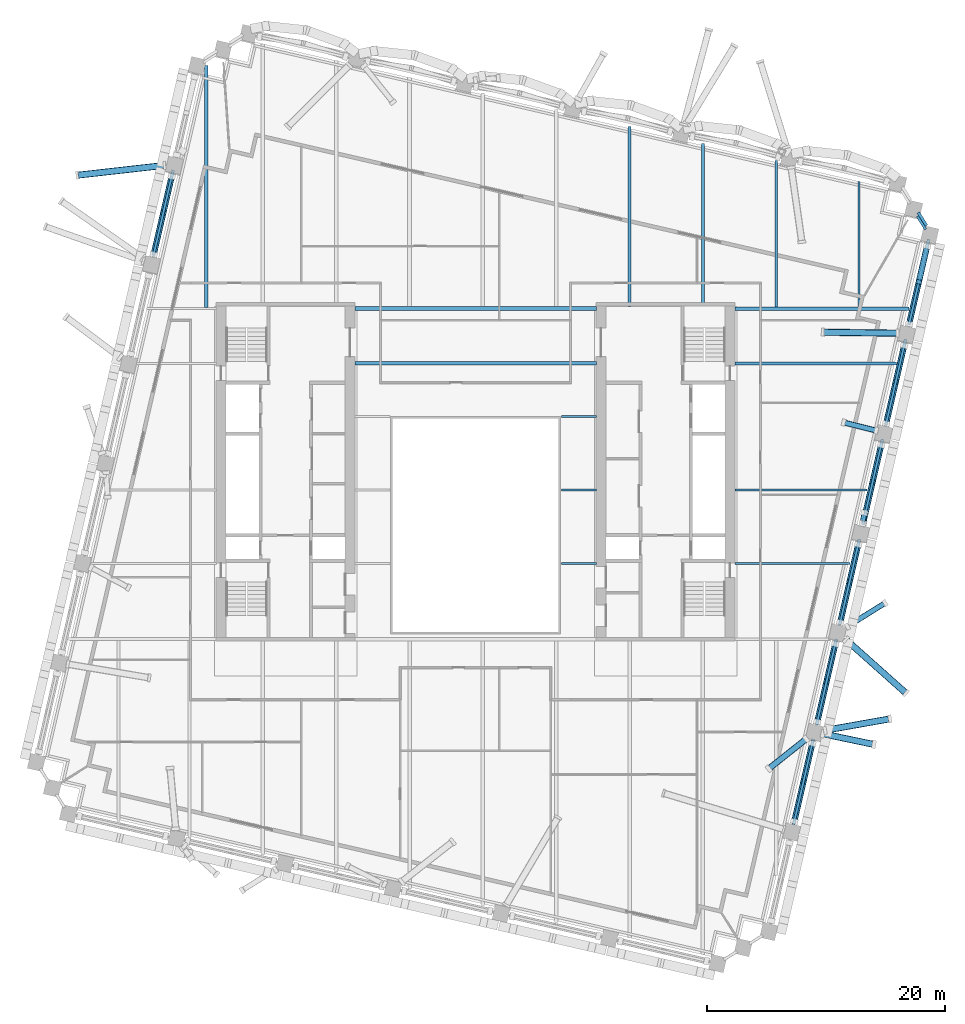
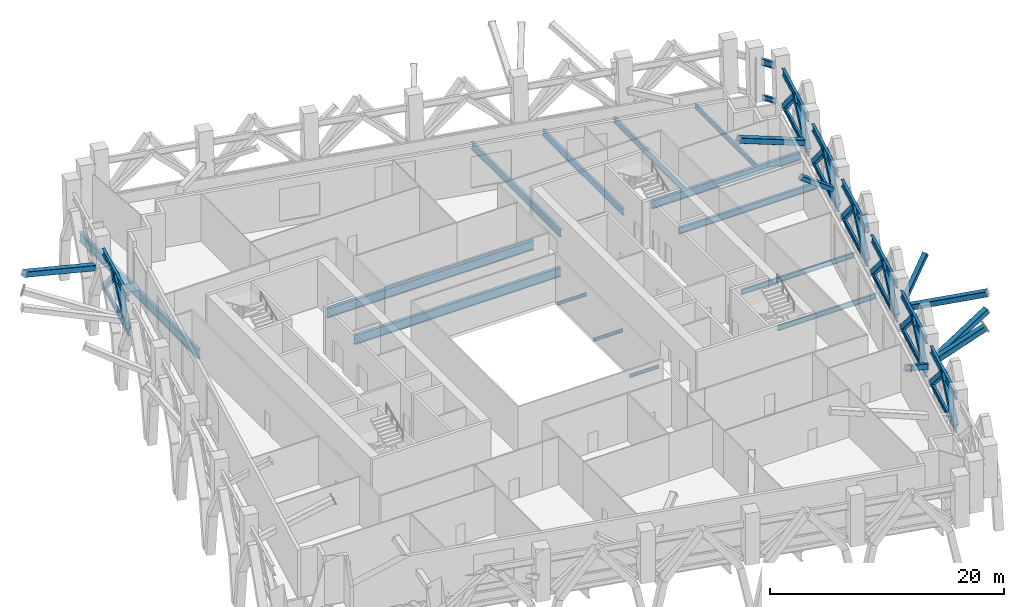
# One storey, part 3 of 20: 30 beams, 23 members.
"""IFC4 building model written with IfcOpenShell, lengths in metres."""

from ifc_helpers import new_model, si_unit, direction, frame, origin, origin_2d, place, context, subcontext, project, spatial, hollow_rectangle, i_section, extrude, material, material_profile, profile_set, type_object, element, save


model = new_model("IFC4")

# Units and contexts
model_context = context("Model", 3, precision=1e-05, world=origin(), true_north=direction((0.0, 1.0)))
body_context = subcontext(model_context, "Body", "Model", "MODEL_VIEW")
ifc_project = project(units=[si_unit("LENGTHUNIT", "METRE"), si_unit("AREAUNIT", "SQUARE_METRE"), si_unit("VOLUMEUNIT", "CUBIC_METRE"), si_unit("PLANEANGLEUNIT", "RADIAN"), si_unit("MASSUNIT", "GRAM", prefix="KILO")], contexts=[model_context])

# Site, building, storey
site_placement = place(None, origin())
site = spatial("IfcSite", under=ifc_project, at=site_placement, CompositionType="ELEMENT")
building_placement = place(site_placement, origin())
building = spatial("IfcBuilding", under=site, at=building_placement, Name="Ogive Exchange Tower", CompositionType="ELEMENT")
storey_placement = place(building_placement, frame((0.0, 0.0, 160.199951171875)))
storey = spatial("IfcBuildingStorey", under=building, at=storey_placement, Name="L35", CompositionType="ELEMENT", Elevation=160.199951171875)

# Beams
ifc_material_1 = material(Name="Steel ASTM A992 Gr50", Category="steel")
ifc_material_profile_1 = material_profile(ifc_material_1, i_section(OverallWidth=0.2099609375, OverallDepth=0.535888671875, WebThickness=0.010986328125, FlangeThickness=0.017333984375, at=origin_2d()), Name="W530x101")
ifc_profile_set_1 = profile_set([ifc_material_profile_1], Name="Steel ASTM A992 Gr50")
beam_type_1 = type_object("IfcBeamType", Name="Belt truss bottom chord W530x101", PredefinedType="BEAM", material=ifc_profile_set_1)
for number, where, z_axis, x_axis, name in (
    (1, (26.772216796875, -18.234130859375, 0.400146484375), (0.224954345887, 0.974369304867, 0.0), (-0.974369304867, 0.224954345887, 0.0), "Belt truss bottom chord 10"),
    (2, (28.705078125, -9.8623046875, 0.400146484375), (0.224954345887, 0.974369304867, 0.0), (-0.974369304867, 0.224954345887, 0.0), "Belt truss bottom chord 11"),
    (3, (30.6376953125, -1.490234375, 0.400146484375), (0.224954345887, 0.974369304867, 0.0), (-0.974369304867, 0.224954345887, 0.0), "Belt truss bottom chord 12"),
    (4, (32.57080078125, 6.8818359375, 0.400146484375), (0.224954345887, 0.974369304867, 0.0), (-0.974369304867, 0.224954345887, 0.0), "Belt truss bottom chord 13"),
    (5, (34.50341796875, 15.25390625, 0.400146484375), (0.224954345887, 0.974369304867, 0.0), (-0.974369304867, 0.224954345887, 0.0), "Belt truss bottom chord 14"),
    (6, (36.436279296875, 23.625732421875, 0.400146484375), (0.224954345887, 0.974369304867, 0.0), (-0.974369304867, 0.224954345887, 0.0), "Belt truss bottom chord 15"),
):
    element("IfcBeam", number, at=place(storey_placement, frame(where, z_axis=z_axis, x_axis=x_axis)), inside=storey, type_object=beam_type_1, Name=name, PredefinedType="BEAM", context=body_context, shape_type="SweptSolid", body=[
        extrude(i_section(OverallWidth=0.2099609375, OverallDepth=0.535888671875, WebThickness=0.010986328125, FlangeThickness=0.017333984375, at=origin_2d()), origin(), (0.0, 0.0, 1.0), 7.332275390625),
    ])
beam_1_placement = place(storey_placement, frame((37.8994140625, 31.9091796875, 0.400146484375), z_axis=(-0.530066093226, 0.847956329543, 0.0), x_axis=(-0.847956329543, -0.530066093226, 0.0)))
element("IfcBeam", 7, at=beam_1_placement, inside=storey, type_object=beam_type_1, Name="Belt truss bottom chord 16", PredefinedType="BEAM", context=body_context, shape_type="SweptSolid", body=[
    extrude(i_section(OverallWidth=0.2099609375, OverallDepth=0.535888671875, WebThickness=0.010986328125, FlangeThickness=0.017333984375, at=origin_2d()), origin(), (0.0, 0.0, 1.0), 1.30712890625),
])
beam_2_placement = place(storey_placement, frame((-25.524658203125, 36.637451171875, 0.400146484375), z_axis=(-0.224954345887, -0.974369304867, 0.0), x_axis=(0.974369304867, -0.224954345887, 0.0)))
element("IfcBeam", 8, at=beam_2_placement, inside=storey, type_object=beam_type_1, Name="Belt truss bottom chord 27", PredefinedType="BEAM", context=body_context, shape_type="SweptSolid", body=[
    extrude(i_section(OverallWidth=0.2099609375, OverallDepth=0.535888671875, WebThickness=0.010986328125, FlangeThickness=0.017333984375, at=origin_2d()), origin(), (0.0, 0.0, 1.0), 7.332275390625),
])

# Members
ifc_material_2 = material(Name="Steel ASTM A1085 Gr A", Category="steel")
ifc_material_profile_2 = material_profile(ifc_material_2, hollow_rectangle(XDim=0.508056640625, YDim=0.508056640625, WallThickness=0.022216796875, InnerFilletRadius=0.022216796875, OuterFilletRadius=0.04443359375, at=origin_2d()), Name="HSS508x508x22.2")
ifc_profile_set_2 = profile_set([ifc_material_profile_2], Name="Steel ASTM A1085 Gr A")
member_type_1 = type_object("IfcMemberType", Name="Belt truss diagonal HSS508x508x22.2", PredefinedType="BRACE", material=ifc_profile_set_2)
member_1_placement = place(storey_placement, frame((26.840576171875, -17.9384765625, 0.68505859375), z_axis=(0.163932221976, 0.710130944486, 0.68471911634), x_axis=(-0.974374402752, 0.224932263719, 0.0)))
element("IfcMember", 9, at=member_1_placement, inside=storey, type_object=member_type_1, Name="Belt truss diagonal 10a", PredefinedType="BRACE", context=body_context, shape_type="SweptSolid", body=[
    extrude(hollow_rectangle(XDim=0.508056640625, YDim=0.508056640625, WallThickness=0.022216796875, InnerFilletRadius=0.022216796875, OuterFilletRadius=0.04443359375, at=origin_2d()), origin(), (0.0, 0.0, 1.0), 4.70751953125),
])
member_2_placement = place(storey_placement, frame((28.355712890625, -11.375, 0.685546875), z_axis=(-0.161036539035, -0.697613460233, 0.698142315862), x_axis=(0.974376254202, -0.224924243351, 0.0)))
element("IfcMember", 10, at=member_2_placement, inside=storey, type_object=member_type_1, Name="Belt truss diagonal 10b", PredefinedType="BRACE", context=body_context, shape_type="SweptSolid", body=[
    extrude(hollow_rectangle(XDim=0.508056640625, YDim=0.508056640625, WallThickness=0.022216796875, InnerFilletRadius=0.022216796875, OuterFilletRadius=0.04443359375, at=origin_2d()), origin(), (0.0, 0.0, 1.0), 4.616455078125),
])
member_3_placement = place(storey_placement, frame((28.774169921875, -9.56298828125, 0.68505859375), z_axis=(0.164876945482, 0.714174794165, 0.68027197225), x_axis=(-0.974371050834, 0.224946783253, 0.0)))
element("IfcMember", 11, at=member_3_placement, inside=storey, type_object=member_type_1, Name="Belt truss diagonal 11a", PredefinedType="BRACE", context=body_context, shape_type="SweptSolid", body=[
    extrude(hollow_rectangle(XDim=0.508056640625, YDim=0.508056640625, WallThickness=0.022216796875, InnerFilletRadius=0.022216796875, OuterFilletRadius=0.04443359375, at=origin_2d()), origin(), (0.0, 0.0, 1.0), 4.73828125),
])
member_4_placement = place(storey_placement, frame((30.289306640625, -2.99951171875, 0.685546875), z_axis=(-0.160015684142, -0.693241601655, 0.702716914954), x_axis=(0.974379845364, -0.224908685799, 0.0)))
element("IfcMember", 12, at=member_4_placement, inside=storey, type_object=member_type_1, Name="Belt truss diagonal 11b", PredefinedType="BRACE", context=body_context, shape_type="SweptSolid", body=[
    extrude(hollow_rectangle(XDim=0.508056640625, YDim=0.508056640625, WallThickness=0.022216796875, InnerFilletRadius=0.022216796875, OuterFilletRadius=0.04443359375, at=origin_2d()), origin(), (0.0, 0.0, 1.0), 4.58642578125),
])
member_5_placement = place(storey_placement, frame((30.707763671875, -1.1875, 0.68505859375), z_axis=(0.165759766979, 0.718121683504, 0.67588826542), x_axis=(-0.974379487697, 0.224910235327, 0.0)))
element("IfcMember", 13, at=member_5_placement, inside=storey, type_object=member_type_1, Name="Belt truss diagonal 12a", PredefinedType="BRACE", context=body_context, shape_type="SweptSolid", body=[
    extrude(hollow_rectangle(XDim=0.508056640625, YDim=0.508056640625, WallThickness=0.022216796875, InnerFilletRadius=0.022216796875, OuterFilletRadius=0.04443359375, at=origin_2d()), origin(), (0.0, 0.0, 1.0), 4.76904296875),
])
member_6_placement = place(storey_placement, frame((32.222900390625, 5.3759765625, 0.685791015625), z_axis=(-0.159027085593, -0.688831607946, 0.707263318675), x_axis=(0.974370753612, -0.224948070685, 0.0)))
element("IfcMember", 14, at=member_6_placement, inside=storey, type_object=member_type_1, Name="Belt truss diagonal 12b", PredefinedType="BRACE", context=body_context, shape_type="SweptSolid", body=[
    extrude(hollow_rectangle(XDim=0.508056640625, YDim=0.508056640625, WallThickness=0.022216796875, InnerFilletRadius=0.022216796875, OuterFilletRadius=0.04443359375, at=origin_2d()), origin(), (0.0, 0.0, 1.0), 4.556396484375),
])
member_7_placement = place(storey_placement, frame((32.641357421875, 7.18798828125, 0.684814453125), z_axis=(0.166663106416, 0.721986407896, 0.67153483586), x_axis=(-0.97437615499, 0.22492467314, 0.0)))
element("IfcMember", 15, at=member_7_placement, inside=storey, type_object=member_type_1, Name="Belt truss diagonal 13a", PredefinedType="BRACE", context=body_context, shape_type="SweptSolid", body=[
    extrude(hollow_rectangle(XDim=0.508056640625, YDim=0.508056640625, WallThickness=0.022216796875, InnerFilletRadius=0.022216796875, OuterFilletRadius=0.04443359375, at=origin_2d()), origin(), (0.0, 0.0, 1.0), 4.80029296875),
])
member_8_placement = place(storey_placement, frame((34.156494140625, 13.75146484375, 0.685791015625), z_axis=(-0.157966016293, -0.684285699804, 0.711898741915), x_axis=(0.974374367106, -0.224932418132, 0.0)))
element("IfcMember", 16, at=member_8_placement, inside=storey, type_object=member_type_1, Name="Belt truss diagonal 13b", PredefinedType="BRACE", context=body_context, shape_type="SweptSolid", body=[
    extrude(hollow_rectangle(XDim=0.508056640625, YDim=0.508056640625, WallThickness=0.022216796875, InnerFilletRadius=0.022216796875, OuterFilletRadius=0.04443359375, at=origin_2d()), origin(), (0.0, 0.0, 1.0), 4.52685546875),
])
member_9_placement = place(storey_placement, frame((34.574951171875, 15.5634765625, 0.684814453125), z_axis=(0.167560840703, 0.725776946628, 0.667211502004), x_axis=(-0.974369467469, 0.224953641588, 0.0)))
element("IfcMember", 17, at=member_9_placement, inside=storey, type_object=member_type_1, Name="Belt truss diagonal 14a", PredefinedType="BRACE", context=body_context, shape_type="SweptSolid", body=[
    extrude(hollow_rectangle(XDim=0.508056640625, YDim=0.508056640625, WallThickness=0.022216796875, InnerFilletRadius=0.022216796875, OuterFilletRadius=0.04443359375, at=origin_2d()), origin(), (0.0, 0.0, 1.0), 4.83154296875),
])
member_10_placement = place(storey_placement, frame((36.09033203125, 22.126953125, 0.68603515625), z_axis=(-0.156937284558, -0.679699667919, 0.716504745376), x_axis=(0.974364958123, -0.224973172585, 0.0)))
element("IfcMember", 18, at=member_10_placement, inside=storey, type_object=member_type_1, Name="Belt truss diagonal 14b", PredefinedType="BRACE", context=body_context, shape_type="SweptSolid", body=[
    extrude(hollow_rectangle(XDim=0.508056640625, YDim=0.508056640625, WallThickness=0.022216796875, InnerFilletRadius=0.022216796875, OuterFilletRadius=0.04443359375, at=origin_2d()), origin(), (0.0, 0.0, 1.0), 4.497314453125),
])
member_11_placement = place(storey_placement, frame((36.508544921875, 23.93896484375, 0.6845703125), z_axis=(0.16842971993, 0.729493967303, 0.662925320917), x_axis=(-0.9743663269, 0.224967244288, 0.0)))
element("IfcMember", 19, at=member_11_placement, inside=storey, type_object=member_type_1, Name="Belt truss diagonal 15a", PredefinedType="BRACE", context=body_context, shape_type="SweptSolid", body=[
    extrude(hollow_rectangle(XDim=0.508056640625, YDim=0.508056640625, WallThickness=0.022216796875, InnerFilletRadius=0.022216796875, OuterFilletRadius=0.04443359375, at=origin_2d()), origin(), (0.0, 0.0, 1.0), 4.863037109375),
])
member_12_placement = place(storey_placement, frame((38.02392578125, 30.50244140625, 0.68603515625), z_axis=(-0.155834404607, -0.674972791062, 0.721198564659), x_axis=(0.97436859116, -0.224957437221, 0.0)))
element("IfcMember", 20, at=member_12_placement, inside=storey, type_object=member_type_1, Name="Belt truss diagonal 15b", PredefinedType="BRACE", context=body_context, shape_type="SweptSolid", body=[
    extrude(hollow_rectangle(XDim=0.508056640625, YDim=0.508056640625, WallThickness=0.022216796875, InnerFilletRadius=0.022216796875, OuterFilletRadius=0.04443359375, at=origin_2d()), origin(), (0.0, 0.0, 1.0), 4.468017578125),
])
member_13_placement = place(storey_placement, frame((-25.58740234375, 36.3662109375, 0.68603515625), z_axis=(-0.156943075216, -0.679670460639, 0.716531182906), x_axis=(0.974361019054, -0.224990232116, 0.0)))
element("IfcMember", 21, at=member_13_placement, inside=storey, type_object=member_type_1, Name="Belt truss diagonal 27a", PredefinedType="BRACE", context=body_context, shape_type="SweptSolid", body=[
    extrude(hollow_rectangle(XDim=0.508056640625, YDim=0.508056640625, WallThickness=0.022216796875, InnerFilletRadius=0.022216796875, OuterFilletRadius=0.04443359375, at=origin_2d()), origin(), (0.0, 0.0, 1.0), 4.497314453125),
])
member_14_placement = place(storey_placement, frame((-27.1025390625, 29.802978515625, 0.684814453125), z_axis=(0.167511727807, 0.725783090947, 0.667217150516), x_axis=(-0.974384335028, 0.224889234186, 0.0)))
element("IfcMember", 22, at=member_14_placement, inside=storey, type_object=member_type_1, Name="Belt truss diagonal 27b", PredefinedType="BRACE", context=body_context, shape_type="SweptSolid", body=[
    extrude(hollow_rectangle(XDim=0.508056640625, YDim=0.508056640625, WallThickness=0.022216796875, InnerFilletRadius=0.022216796875, OuterFilletRadius=0.04443359375, at=origin_2d()), origin(), (0.0, 0.0, 1.0), 4.83154296875),
])

# Beams
ifc_material_profile_3 = material_profile(ifc_material_1, i_section(OverallWidth=0.25390625, OverallDepth=0.68310546875, WebThickness=0.012451171875, FlangeThickness=0.018798828125, at=origin_2d()), Name="W690x140")
ifc_profile_set_3 = profile_set([ifc_material_profile_3], Name="Steel ASTM A992 Gr50")
beam_type_2 = type_object("IfcBeamType", Name="Belt truss top chord W690x140", PredefinedType="BEAM", material=ifc_profile_set_3)
beam_3_placement = place(storey_placement, frame((26.782470703125, -18.189697265625, 3.908447265625), z_axis=(0.224961013121, 0.974367765567, 0.0), x_axis=(-0.974367765567, 0.224961013121, 0.0)))
element("IfcBeam", 23, at=beam_3_placement, inside=storey, type_object=beam_type_2, Name="Belt truss top chord 10", PredefinedType="BEAM", context=body_context, shape_type="SweptSolid", body=[
    extrude(i_section(OverallWidth=0.25390625, OverallDepth=0.68310546875, WebThickness=0.012451171875, FlangeThickness=0.018798828125, at=origin_2d()), origin(), (0.0, 0.0, 1.0), 7.377685546875),
])
beam_4_placement = place(storey_placement, frame((28.7255859375, -9.7734375, 3.908447265625), z_axis=(0.224953759704, 0.9743694402, 0.0), x_axis=(-0.9743694402, 0.224953759704, 0.0)))
element("IfcBeam", 24, at=beam_4_placement, inside=storey, type_object=beam_type_2, Name="Belt truss top chord 11", PredefinedType="BEAM", context=body_context, shape_type="SweptSolid", body=[
    extrude(i_section(OverallWidth=0.25390625, OverallDepth=0.68310546875, WebThickness=0.012451171875, FlangeThickness=0.018798828125, at=origin_2d()), origin(), (0.0, 0.0, 1.0), 7.3779296875),
])
for number, where, z_axis, x_axis, name in (
    (25, (30.668701171875, -1.35693359375, 3.908447265625), (0.224922342737, 0.974376692936, 0.0), (-0.974376692936, 0.224922342737, 0.0), "Belt truss top chord 12"),
    (26, (32.61181640625, 7.059326171875, 3.908447265625), (0.224922342737, 0.974376692936, 0.0), (-0.974376692936, 0.224922342737, 0.0), "Belt truss top chord 13"),
):
    element("IfcBeam", number, at=place(storey_placement, frame(where, z_axis=z_axis, x_axis=x_axis)), inside=storey, type_object=beam_type_2, Name=name, PredefinedType="BEAM", context=body_context, shape_type="SweptSolid", body=[
        extrude(i_section(OverallWidth=0.25390625, OverallDepth=0.68310546875, WebThickness=0.012451171875, FlangeThickness=0.018798828125, at=origin_2d()), origin(), (0.0, 0.0, 1.0), 7.377685546875),
    ])
for number, where, z_axis, x_axis, name in (
    (27, (34.5546875, 15.475830078125, 3.908447265625), (0.224953759704, 0.9743694402, 0.0), (-0.9743694402, 0.224953759704, 0.0), "Belt truss top chord 14"),
    (28, (36.497802734375, 23.89208984375, 3.908447265625), (0.224953759704, 0.9743694402, 0.0), (-0.9743694402, 0.224953759704, 0.0), "Belt truss top chord 15"),
):
    element("IfcBeam", number, at=place(storey_placement, frame(where, z_axis=z_axis, x_axis=x_axis)), inside=storey, type_object=beam_type_2, Name=name, PredefinedType="BEAM", context=body_context, shape_type="SweptSolid", body=[
        extrude(i_section(OverallWidth=0.25390625, OverallDepth=0.68310546875, WebThickness=0.012451171875, FlangeThickness=0.018798828125, at=origin_2d()), origin(), (0.0, 0.0, 1.0), 7.3779296875),
    ])
beam_5_placement = place(storey_placement, frame((37.970947265625, 32.219970703125, 3.908447265625), z_axis=(-0.529931776808, 0.848040277303, 0.0), x_axis=(-0.848040277303, -0.529931776808, 0.0)))
element("IfcBeam", 29, at=beam_5_placement, inside=storey, type_object=beam_type_2, Name="Belt truss top chord 16", PredefinedType="BEAM", context=body_context, shape_type="SweptSolid", body=[
    extrude(i_section(OverallWidth=0.25390625, OverallDepth=0.68310546875, WebThickness=0.012451171875, FlangeThickness=0.018798828125, at=origin_2d()), origin(), (0.0, 0.0, 1.0), 1.30712890625),
])
beam_6_placement = place(storey_placement, frame((-25.463134765625, 36.90380859375, 3.908447265625), z_axis=(-0.224953759704, -0.9743694402, 0.0), x_axis=(0.9743694402, -0.224953759704, 0.0)))
element("IfcBeam", 30, at=beam_6_placement, inside=storey, type_object=beam_type_2, Name="Belt truss top chord 27", PredefinedType="BEAM", context=body_context, shape_type="SweptSolid", body=[
    extrude(i_section(OverallWidth=0.25390625, OverallDepth=0.68310546875, WebThickness=0.012451171875, FlangeThickness=0.018798828125, at=origin_2d()), origin(), (0.0, 0.0, 1.0), 7.3779296875),
])

# Members
ifc_material_profile_4 = material_profile(ifc_material_2, hollow_rectangle(XDim=0.45703125, YDim=0.45703125, WallThickness=0.01904296875, InnerFilletRadius=0.01904296875, OuterFilletRadius=0.0380859375, at=origin_2d()), Name="HSS457.2x457.2x19")
ifc_profile_set_4 = profile_set([ifc_material_profile_4], Name="Steel ASTM A1085 Gr A")
member_type_2 = type_object("IfcMemberType", Name="Block-change strut HSS457.2x457.2x19", PredefinedType="STRUT", material=ifc_profile_set_4)
member_15_placement = place(storey_placement, frame((31.312255859375, -1.530517578125, 2.431640625), z_axis=(0.721502865522, 0.449178815053, 0.526945924314), x_axis=(-0.528508580108, 0.848927959695, 0.0)))
element("IfcMember", 31, at=member_15_placement, inside=storey, type_object=member_type_2, Name="Block-change strut 9", PredefinedType="STRUT", context=body_context, shape_type="SweptSolid", body=[
    extrude(hollow_rectangle(XDim=0.45703125, YDim=0.45703125, WallThickness=0.01904296875, InnerFilletRadius=0.01904296875, OuterFilletRadius=0.0380859375, at=origin_2d()), origin(), (0.0, 0.0, 1.0), 4.3857421875),
])
member_16_placement = place(storey_placement, frame((32.58349609375, 7.123779296875, 3.627197265625), z_axis=(0.103641861045, 0.614283665303, 0.782249284551), x_axis=(-0.986063644882, 0.166368531407, 0.0)))
element("IfcMember", 32, at=member_16_placement, inside=storey, type_object=member_type_2, Name="Block-change strut 10", PredefinedType="STRUT", context=body_context, shape_type="SweptSolid", body=[
    extrude(hollow_rectangle(XDim=0.45703125, YDim=0.45703125, WallThickness=0.01904296875, InnerFilletRadius=0.01904296875, OuterFilletRadius=0.0380859375, at=origin_2d()), origin(), (0.0, 0.0, 1.0), 1.484130859375),
])
member_17_placement = place(storey_placement, frame((33.73779296875, 14.9677734375, 2.99755859375), z_axis=(-0.824865471707, 0.2047235155, 0.52695847634), x_axis=(-0.240882075565, -0.970554390888, 0.0)))
element("IfcMember", 33, at=member_17_placement, inside=storey, type_object=member_type_2, Name="Block-change strut 11", PredefinedType="STRUT", context=body_context, shape_type="SweptSolid", body=[
    extrude(hollow_rectangle(XDim=0.45703125, YDim=0.45703125, WallThickness=0.01904296875, InnerFilletRadius=0.01904296875, OuterFilletRadius=0.0380859375, at=origin_2d()), origin(), (0.0, 0.0, 1.0), 3.311767578125),
])
ifc_material_profile_5 = material_profile(ifc_material_2, hollow_rectangle(XDim=0.508056640625, YDim=0.508056640625, WallThickness=0.01904296875, InnerFilletRadius=0.01904296875, OuterFilletRadius=0.0380859375, at=origin_2d()), Name="HSS508x508x19")
ifc_profile_set_5 = profile_set([ifc_material_profile_5], Name="Steel ASTM A1085 Gr A")
member_type_3 = type_object("IfcMemberType", Name="Block-change strut HSS508x508x19", PredefinedType="STRUT", material=ifc_profile_set_5)
member_18_placement = place(storey_placement, frame((27.84228515625, -11.00830078125, 2.34423828125), z_axis=(-0.674025444955, -0.534819412523, 0.509566379917), x_axis=(0.62157127797, -0.783357610803, 0.0)))
element("IfcMember", 34, at=member_18_placement, inside=storey, type_object=member_type_3, Name="Block-change strut 6", PredefinedType="STRUT", context=body_context, shape_type="SweptSolid", body=[
    extrude(hollow_rectangle(XDim=0.508056640625, YDim=0.508056640625, WallThickness=0.01904296875, InnerFilletRadius=0.01904296875, OuterFilletRadius=0.0380859375, at=origin_2d()), origin(), (0.0, 0.0, 1.0), 4.659912109375),
])
ifc_material_profile_6 = material_profile(ifc_material_2, hollow_rectangle(XDim=0.55908203125, YDim=0.55908203125, WallThickness=0.022216796875, InnerFilletRadius=0.022216796875, OuterFilletRadius=0.04443359375, at=origin_2d()), Name="HSS558.8x558.8x22.2")
ifc_profile_set_6 = profile_set([ifc_material_profile_6], Name="Steel ASTM A1085 Gr A")
member_type_4 = type_object("IfcMemberType", Name="Block-change strut HSS558.8x558.8x22.2", PredefinedType="STRUT", material=ifc_profile_set_6)
member_19_placement = place(storey_placement, frame((29.24560546875, -10.56787109375, 2.31640625), z_axis=(0.86029011682, -0.179627478233, 0.477110976572), x_axis=(0.204390849001, 0.97888936088, 0.0)))
element("IfcMember", 35, at=member_19_placement, inside=storey, type_object=member_type_4, Name="Block-change strut 7", PredefinedType="STRUT", context=body_context, shape_type="SweptSolid", body=[
    extrude(hollow_rectangle(XDim=0.55908203125, YDim=0.55908203125, WallThickness=0.022216796875, InnerFilletRadius=0.022216796875, OuterFilletRadius=0.04443359375, at=origin_2d()), origin(), (0.0, 0.0, 1.0), 4.97998046875),
])
member_20_placement = place(storey_placement, frame((31.188720703125, -2.635498046875, 2.294677734375), z_axis=(0.703778763562, -0.627731406849, 0.332639042828), x_axis=(0.665636600374, 0.746276032204, 0.0)))
element("IfcMember", 36, at=member_20_placement, inside=storey, type_object=member_type_4, Name="Block-change strut 8", PredefinedType="STRUT", context=body_context, shape_type="SweptSolid", body=[
    extrude(hollow_rectangle(XDim=0.55908203125, YDim=0.55908203125, WallThickness=0.022216796875, InnerFilletRadius=0.022216796875, OuterFilletRadius=0.04443359375, at=origin_2d()), origin(), (0.0, 0.0, 1.0), 7.16552734375),
])
member_21_placement = place(storey_placement, frame((35.531494140625, 23.166015625, 2.297607421875), z_axis=(-0.934860731736, 0.012616547679, 0.354790409936), x_axis=(-0.013494415228, -0.999908946233, 0.0)))
element("IfcMember", 37, at=member_21_placement, inside=storey, type_object=member_type_4, Name="Block-change strut 12", PredefinedType="STRUT", context=body_context, shape_type="SweptSolid", body=[
    extrude(hollow_rectangle(XDim=0.55908203125, YDim=0.55908203125, WallThickness=0.022216796875, InnerFilletRadius=0.022216796875, OuterFilletRadius=0.04443359375, at=origin_2d()), origin(), (0.0, 0.0, 1.0), 6.71484375),
])
member_22_placement = place(storey_placement, frame((-26.19775390625, 37.298583984375, 2.291748046875), z_axis=(-0.945482188157, -0.106946591313, 0.307613163705), x_axis=(0.112396530054, -0.993663433981, 0.0)))
element("IfcMember", 38, at=member_22_placement, inside=storey, type_object=member_type_4, Name="Block-change strut 22", PredefinedType="STRUT", context=body_context, shape_type="SweptSolid", body=[
    extrude(hollow_rectangle(XDim=0.55908203125, YDim=0.55908203125, WallThickness=0.022216796875, InnerFilletRadius=0.022216796875, OuterFilletRadius=0.04443359375, at=origin_2d()), origin(), (0.0, 0.0, 1.0), 7.75244140625),
])
member_23_placement = place(storey_placement, frame((29.4365234375, -10.275390625, 2.30322265625), z_axis=(0.904359882885, 0.160120433341, 0.395594045778), x_axis=(-0.174342325977, 0.984685103662, 0.0)))
element("IfcMember", 39, at=member_23_placement, inside=storey, type_object=member_type_4, Name="Block-change strut 31", PredefinedType="STRUT", context=body_context, shape_type="SweptSolid", body=[
    extrude(hollow_rectangle(XDim=0.55908203125, YDim=0.55908203125, WallThickness=0.022216796875, InnerFilletRadius=0.022216796875, OuterFilletRadius=0.04443359375, at=origin_2d()), origin(), (0.0, 0.0, 1.0), 6.0166015625),
])

# Beams
ifc_material_profile_7 = material_profile(ifc_material_1, i_section(OverallWidth=0.300048828125, OverallDepth=0.969970703125, WebThickness=0.01611328125, FlangeThickness=0.02099609375, at=origin_2d()), Name="W1000x222")
ifc_profile_set_7 = profile_set([ifc_material_profile_7], Name="Steel ASTM A992 Gr50")
beam_type_3 = type_object("IfcBeamType", Name="Floor beam W1000x222", PredefinedType="JOIST", material=ifc_profile_set_7)
beam_7_placement = place(storey_placement, frame((-10.169921875, 20.62255859375, -0.784912109375), z_axis=(1.0, 0.0, 0.0), x_axis=(0.0, 1.0, 0.0)))
element("IfcBeam", 40, at=beam_7_placement, inside=storey, type_object=beam_type_3, Name="Floor beam", PredefinedType="JOIST", context=body_context, shape_type="SweptSolid", body=[
    extrude(i_section(OverallWidth=0.300048828125, OverallDepth=0.969970703125, WebThickness=0.01611328125, FlangeThickness=0.02099609375, at=origin_2d()), origin(), (0.0, 0.0, 1.0), 20.33984375),
])
beam_8_placement = place(storey_placement, frame((-22.68701171875, 25.33056640625, -0.784912109375), z_axis=(0.0, 1.0, 0.0), x_axis=(-1.0, 0.0, 0.0)))
element("IfcBeam", 41, at=beam_8_placement, inside=storey, type_object=beam_type_3, Name="Floor beam", PredefinedType="JOIST", context=body_context, shape_type="SweptSolid", body=[
    extrude(i_section(OverallWidth=0.300048828125, OverallDepth=0.969970703125, WebThickness=0.01611328125, FlangeThickness=0.02099609375, at=origin_2d()), origin(), (0.0, 0.0, 1.0), 20.358642578125),
])
ifc_material_profile_8 = material_profile(ifc_material_1, i_section(OverallWidth=0.1650390625, OverallDepth=0.31005859375, WebThickness=0.005859375, FlangeThickness=0.009765625, at=origin_2d()), Name="W310x38.7")
ifc_profile_set_8 = profile_set([ifc_material_profile_8], Name="Steel ASTM A992 Gr50")
beam_type_4 = type_object("IfcBeamType", Name="Floor beam W310x38.7", PredefinedType="JOIST", material=ifc_profile_set_8)
for number, where, z_axis, x_axis, name in (
    (42, (7.219970703125, 3.75830078125, -0.454833984375), (1.0, 0.0, 0.0), (0.0, 1.0, 0.0), "Floor beam"),
    (43, (7.219970703125, 9.956787109375, -0.454833984375), (1.0, 0.0, 0.0), (0.0, 1.0, 0.0), "Floor beam"),
):
    element("IfcBeam", number, at=place(storey_placement, frame(where, z_axis=z_axis, x_axis=x_axis)), inside=storey, type_object=beam_type_4, Name=name, PredefinedType="JOIST", context=body_context, shape_type="SweptSolid", body=[
        extrude(i_section(OverallWidth=0.1650390625, OverallDepth=0.31005859375, WebThickness=0.005859375, FlangeThickness=0.009765625, at=origin_2d()), origin(), (0.0, 0.0, 1.0), 2.949951171875),
    ])
ifc_material_profile_9 = material_profile(ifc_material_1, i_section(OverallWidth=0.1669921875, OverallDepth=0.535888671875, WebThickness=0.01025390625, FlangeThickness=0.0166015625, at=origin_2d()), Name="W530x85")
ifc_profile_set_9 = profile_set([ifc_material_profile_9], Name="Steel ASTM A992 Gr50")
beam_type_5 = type_object("IfcBeamType", Name="Floor beam W530x85", PredefinedType="JOIST", material=ifc_profile_set_9)
beam_9_placement = place(storey_placement, frame((21.830078125, 3.75830078125, -0.56787109375), z_axis=(1.0, 0.0, 0.0), x_axis=(0.0, 1.0, 0.0)))
element("IfcBeam", 44, at=beam_9_placement, inside=storey, type_object=beam_type_5, Name="Floor beam", PredefinedType="JOIST", context=body_context, shape_type="SweptSolid", body=[
    extrude(i_section(OverallWidth=0.1669921875, OverallDepth=0.535888671875, WebThickness=0.01025390625, FlangeThickness=0.0166015625, at=origin_2d()), origin(), (0.0, 0.0, 1.0), 9.70751953125),
])
beam_10_placement = place(storey_placement, frame((21.830078125, 9.956787109375, -0.56787109375), z_axis=(1.0, 0.0, 0.0), x_axis=(0.0, 1.0, 0.0)))
element("IfcBeam", 45, at=beam_10_placement, inside=storey, type_object=beam_type_5, Name="Floor beam", PredefinedType="JOIST", context=body_context, shape_type="SweptSolid", body=[
    extrude(i_section(OverallWidth=0.1669921875, OverallDepth=0.535888671875, WebThickness=0.01025390625, FlangeThickness=0.0166015625, at=origin_2d()), origin(), (0.0, 0.0, 1.0), 11.138671875),
])
beam_11_placement = place(storey_placement, frame((32.302978515625, 25.39111328125, -0.56787109375), z_axis=(0.0, 1.0, 0.0), x_axis=(-1.0, 0.0, 0.0)))
element("IfcBeam", 46, at=beam_11_placement, inside=storey, type_object=beam_type_5, Name="Floor beam", PredefinedType="JOIST", context=body_context, shape_type="SweptSolid", body=[
    extrude(i_section(OverallWidth=0.1669921875, OverallDepth=0.535888671875, WebThickness=0.01025390625, FlangeThickness=0.0166015625, at=origin_2d()), origin(), (0.0, 0.0, 1.0), 10.55615234375),
])
ifc_material_profile_10 = material_profile(ifc_material_1, i_section(OverallWidth=0.22802734375, OverallDepth=0.60205078125, WebThickness=0.010498046875, FlangeThickness=0.014892578125, at=origin_2d()), Name="W610x101")
ifc_profile_set_10 = profile_set([ifc_material_profile_10], Name="Steel ASTM A992 Gr50")
beam_type_6 = type_object("IfcBeamType", Name="Floor beam W610x101", PredefinedType="JOIST", material=ifc_profile_set_10)
beam_12_placement = place(storey_placement, frame((25.326416015625, 25.39111328125, -0.600830078125), z_axis=(0.0, 1.0, 0.0), x_axis=(-1.0, 0.0, 0.0)))
element("IfcBeam", 47, at=beam_12_placement, inside=storey, type_object=beam_type_6, Name="Floor beam", PredefinedType="JOIST", context=body_context, shape_type="SweptSolid", body=[
    extrude(i_section(OverallWidth=0.22802734375, OverallDepth=0.60205078125, WebThickness=0.010498046875, FlangeThickness=0.014892578125, at=origin_2d()), origin(), (0.0, 0.0, 1.0), 12.31689453125),
])
ifc_material_profile_11 = material_profile(ifc_material_1, i_section(OverallWidth=0.25390625, OverallDepth=0.677978515625, WebThickness=0.01171875, FlangeThickness=0.016357421875, at=origin_2d()), Name="W690x125")
ifc_profile_set_11 = profile_set([ifc_material_profile_11], Name="Steel ASTM A992 Gr50")
beam_type_7 = type_object("IfcBeamType", Name="Floor beam W690x125", PredefinedType="JOIST", material=ifc_profile_set_11)
beam_13_placement = place(storey_placement, frame((21.830078125, 20.62255859375, -0.638916015625), z_axis=(1.0, 0.0, 0.0), x_axis=(0.0, 1.0, 0.0)))
element("IfcBeam", 48, at=beam_13_placement, inside=storey, type_object=beam_type_7, Name="Floor beam", PredefinedType="JOIST", context=body_context, shape_type="SweptSolid", body=[
    extrude(i_section(OverallWidth=0.25390625, OverallDepth=0.677978515625, WebThickness=0.01171875, FlangeThickness=0.016357421875, at=origin_2d()), origin(), (0.0, 0.0, 1.0), 13.60107421875),
])
beam_14_placement = place(storey_placement, frame((19.149658203125, 25.39990234375, -0.638916015625), z_axis=(0.0, 1.0, 0.0), x_axis=(-1.0, 0.0, 0.0)))
element("IfcBeam", 49, at=beam_14_placement, inside=storey, type_object=beam_type_7, Name="Floor beam", PredefinedType="JOIST", context=body_context, shape_type="SweptSolid", body=[
    extrude(i_section(OverallWidth=0.25390625, OverallDepth=0.677978515625, WebThickness=0.01171875, FlangeThickness=0.016357421875, at=origin_2d()), origin(), (0.0, 0.0, 1.0), 13.73388671875),
])
ifc_material_profile_12 = material_profile(ifc_material_1, i_section(OverallWidth=0.26708984375, OverallDepth=0.75390625, WebThickness=0.01318359375, FlangeThickness=0.01708984375, at=origin_2d()), Name="W760x147")
ifc_profile_set_12 = profile_set([ifc_material_profile_12], Name="Steel ASTM A992 Gr50")
beam_type_8 = type_object("IfcBeamType", Name="Floor beam W760x147", PredefinedType="JOIST", material=ifc_profile_set_12)
beam_15_placement = place(storey_placement, frame((12.972900390625, 25.39990234375, -0.677001953125), z_axis=(0.0, 1.0, 0.0), x_axis=(-1.0, 0.0, 0.0)))
element("IfcBeam", 50, at=beam_15_placement, inside=storey, type_object=beam_type_8, Name="Floor beam", PredefinedType="JOIST", context=body_context, shape_type="SweptSolid", body=[
    extrude(i_section(OverallWidth=0.26708984375, OverallDepth=0.75390625, WebThickness=0.01318359375, FlangeThickness=0.01708984375, at=origin_2d()), origin(), (0.0, 0.0, 1.0), 15.159912109375),
])
ifc_material_profile_13 = material_profile(ifc_material_1, i_section(OverallWidth=0.300048828125, OverallDepth=0.97998046875, WebThickness=0.0166015625, FlangeThickness=0.026123046875, at=origin_2d()), Name="W1000x249")
ifc_profile_set_13 = profile_set([ifc_material_profile_13], Name="Steel ASTM A992 Gr50")
beam_type_9 = type_object("IfcBeamType", Name="Girder W1000x249", PredefinedType="BEAM", material=ifc_profile_set_13)
beam_16_placement = place(storey_placement, frame((-10.169921875, 25.2451171875, -0.7900390625), z_axis=(1.0, 0.0, 0.0), x_axis=(0.0, 1.0, 0.0)))
element("IfcBeam", 51, at=beam_16_placement, inside=storey, type_object=beam_type_9, Name="Header girder", PredefinedType="BEAM", context=body_context, shape_type="SweptSolid", body=[
    extrude(i_section(OverallWidth=0.300048828125, OverallDepth=0.97998046875, WebThickness=0.0166015625, FlangeThickness=0.026123046875, at=origin_2d()), origin(), (0.0, 0.0, 1.0), 20.33984375),
])
ifc_material_profile_14 = material_profile(ifc_material_1, i_section(OverallWidth=0.1650390625, OverallDepth=0.31005859375, WebThickness=0.005859375, FlangeThickness=0.009765625, at=origin_2d()), Name="W310x38.7")
ifc_profile_set_14 = profile_set([ifc_material_profile_14], Name="Steel ASTM A992 Gr50")
beam_type_10 = type_object("IfcBeamType", Name="Girder W310x38.7", PredefinedType="BEAM", material=ifc_profile_set_14)
beam_17_placement = place(storey_placement, frame((7.219970703125, 16.155029296875, -0.454833984375), z_axis=(1.0, 0.0, 0.0), x_axis=(0.0, 1.0, 0.0)))
element("IfcBeam", 52, at=beam_17_placement, inside=storey, type_object=beam_type_10, Name="Trimmer girder", PredefinedType="BEAM", context=body_context, shape_type="SweptSolid", body=[
    extrude(i_section(OverallWidth=0.1650390625, OverallDepth=0.31005859375, WebThickness=0.005859375, FlangeThickness=0.009765625, at=origin_2d()), origin(), (0.0, 0.0, 1.0), 2.949951171875),
])
ifc_material_profile_15 = material_profile(ifc_material_1, i_section(OverallWidth=0.2919921875, OverallDepth=0.8359375, WebThickness=0.013916015625, FlangeThickness=0.018798828125, at=origin_2d()), Name="W840x176")
ifc_profile_set_15 = profile_set([ifc_material_profile_15], Name="Steel ASTM A992 Gr50")
beam_type_11 = type_object("IfcBeamType", Name="Girder W840x176", PredefinedType="BEAM", material=ifc_profile_set_15)
beam_18_placement = place(storey_placement, frame((21.830078125, 25.2451171875, -0.718017578125), z_axis=(1.0, 0.0, 0.0), x_axis=(0.0, 1.0, 0.0)))
element("IfcBeam", 53, at=beam_18_placement, inside=storey, type_object=beam_type_11, Name="Header girder", PredefinedType="BEAM", context=body_context, shape_type="SweptSolid", body=[
    extrude(i_section(OverallWidth=0.2919921875, OverallDepth=0.8359375, WebThickness=0.013916015625, FlangeThickness=0.018798828125, at=origin_2d()), origin(), (0.0, 0.0, 1.0), 14.668212890625),
])

save(model, "model.ifc")
